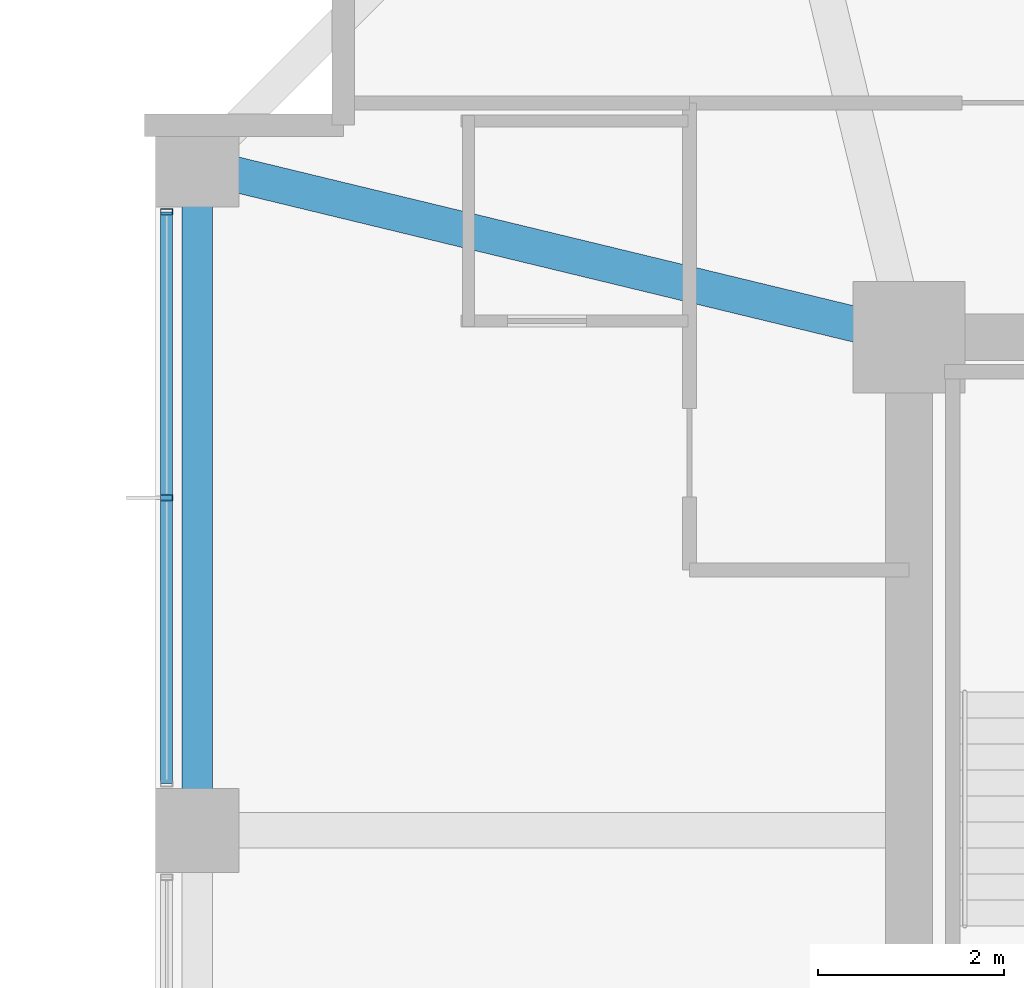
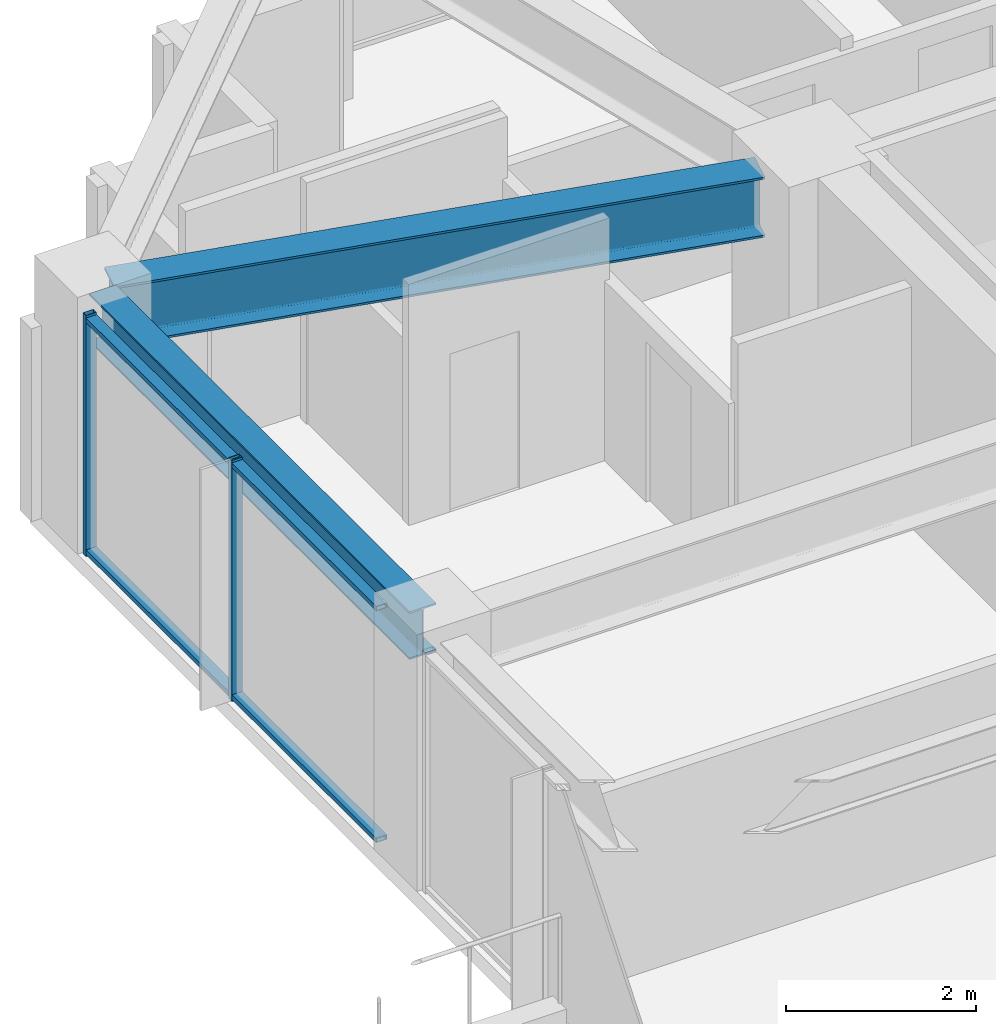
# One storey, part 10 of 32: 4 members, 2 beams, 1 element without a shape of its own.
"""IFC4 building model written with IfcOpenShell, lengths in metres."""

from ifc_helpers import new_model, si_unit, direction, frame, origin, origin_2d, place, context, subcontext, project, spatial, hollow_rectangle, i_section, extrude, material, material_profile, profile_set, type_object, element, aggregate, save


model = new_model("IFC4")

# Units and contexts
model_context = context("Model", 3, precision=1e-05, world=origin(), true_north=direction((0.0, 1.0)))
body_context = subcontext(model_context, "Body", "Model", "MODEL_VIEW")
ifc_project = project(units=[si_unit("LENGTHUNIT", "METRE"), si_unit("AREAUNIT", "SQUARE_METRE"), si_unit("VOLUMEUNIT", "CUBIC_METRE"), si_unit("PLANEANGLEUNIT", "RADIAN"), si_unit("MASSUNIT", "GRAM", prefix="KILO")], contexts=[model_context])

# Site, building, storey
site_placement = place(None, origin())
site = spatial("IfcSite", under=ifc_project, at=site_placement, CompositionType="ELEMENT")
building_placement = place(site_placement, origin())
building = spatial("IfcBuilding", under=site, at=building_placement, Name="Kolvaren Belvedere", CompositionType="ELEMENT")
storey_placement = place(building_placement, frame((0.0, 0.0, 141.5)))
storey = spatial("IfcBuildingStorey", under=building, at=storey_placement, Name="L41", CompositionType="ELEMENT", Elevation=141.5)

# Beams
ifc_material_1 = material(Name="Structural steel ASTM A992 Grade 50", Category="steel")
ifc_material_profile_1 = material_profile(ifc_material_1, i_section(OverallWidth=0.381103515625, OverallDepth=0.77294921875, WebThickness=0.0166015625, FlangeThickness=0.027099609375, FilletRadius=0.02392578125, at=origin_2d()), Name="W30X173")
ifc_profile_set_1 = profile_set([ifc_material_profile_1], Name="Structural steel ASTM A992 Grade 50")
beam_type_1 = type_object("IfcBeamType", Name="BM-GIRD-W30X173", PredefinedType="BEAM", material=ifc_profile_set_1)
beam_1_placement = place(storey_placement, frame((-10.4345703125, 10.029296875, 2.71337890625), z_axis=(-0.971980197119, 0.235062749937, 0.0), x_axis=(-0.235062749937, -0.971980197119, 0.0)))
element("IfcBeam", 1, at=beam_1_placement, inside=storey, type_object=beam_type_1, Name="L41 Corner Core-to-Perimeter Girder CC4-W4", PredefinedType="BEAM", context=body_context, shape_type="SweptSolid", body=[
    extrude(i_section(OverallWidth=0.381103515625, OverallDepth=0.77294921875, WebThickness=0.0166015625, FlangeThickness=0.027099609375, FilletRadius=0.02392578125, at=origin_2d()), origin(), (0.0, 0.0, 1.0), 7.140625),
])
ifc_material_2 = material(Name="Structural steel ASTM A992 Grade 50", Category="steel")
ifc_material_profile_2 = material_profile(ifc_material_2, i_section(OverallWidth=0.324951171875, OverallDepth=0.615966796875, WebThickness=0.013916015625, FlangeThickness=0.021484375, FilletRadius=0.02001953125, at=origin_2d()), Name="W24X117")
ifc_profile_set_2 = profile_set([ifc_material_profile_2], Name="Structural steel ASTM A992 Grade 50")
beam_type_2 = type_object("IfcBeamType", Name="BM-SPAN-W24X117", PredefinedType="SPANDREL", material=ifc_profile_set_2)
beam_2_placement = place(storey_placement, frame((-17.550048828125, 11.547607421875, 2.7919921875), z_axis=(0.0, -1.0, 0.0), x_axis=(1.0, 0.0, 0.0)))
element("IfcBeam", 2, at=beam_2_placement, inside=storey, type_object=beam_type_2, Name="L41 Perimeter Spandrel W4-W3", PredefinedType="SPANDREL", context=body_context, shape_type="SweptSolid", body=[
    extrude(i_section(OverallWidth=0.324951171875, OverallDepth=0.615966796875, WebThickness=0.013916015625, FlangeThickness=0.021484375, FilletRadius=0.02001953125, at=origin_2d()), origin(), (0.0, 0.0, 1.0), 6.7451171875),
])

# Curtain wall, members
ifc_material_3 = material(Name="Anodised pale-metal aluminium AA 6063-T6", Category="aluminium")
curtain_wall_type = type_object("IfcCurtainWallType", Name="CW-Z3-WAIST", PredefinedType="NOTDEFINED", material=ifc_material_3)
curtain_wall_placement = place(storey_placement, origin())
curtain_wall = element("IfcCurtainWall", 3, at=curtain_wall_placement, inside=storey, type_object=curtain_wall_type, Name="L41 Unitised Curtain Wall FCW-L41-W2-B2", PredefinedType="NOTDEFINED")
ifc_material_4 = material(Name="Anodised pale-metal aluminium AA 6063-T6", Category="aluminium")
ifc_material_profile_3 = material_profile(ifc_material_4, hollow_rectangle(XDim=0.06494140625, YDim=0.1298828125, WallThickness=0.00390625, at=origin_2d()), Name="ALU-MUL-130X65")
ifc_profile_set_3 = profile_set([ifc_material_profile_3], Name="Anodised pale-metal aluminium AA 6063-T6")
member_type_1 = type_object("IfcMemberType", Name="CW-MUL-130", PredefinedType="MULLION", material=ifc_profile_set_3)
member_1_placement = place(storey_placement, frame((-17.8798828125, 8.175048828125, 0.0), z_axis=(0.0, 0.0, 1.0), x_axis=(0.0, 1.0, 0.0)))
member_1 = element("IfcMember", 4, at=member_1_placement, type_object=member_type_1, Name="FCW-L41-W2-B2 Unitised Mullion 2", PredefinedType="MULLION", context=body_context, shape_type="SweptSolid", body=[
    extrude(hollow_rectangle(XDim=0.06494140625, YDim=0.1298828125, WallThickness=0.00390625, at=origin_2d()), origin(), (0.0, 0.0, 1.0), 3.10009765625),
])
member_2_placement = place(storey_placement, frame((-17.8798828125, 11.24755859375, 0.0), z_axis=(0.0, 0.0, 1.0), x_axis=(0.0, 1.0, 0.0)))
member_2 = element("IfcMember", 5, at=member_2_placement, type_object=member_type_1, Name="FCW-L41-W2-B2 Unitised Mullion 3", PredefinedType="MULLION", context=body_context, shape_type="SweptSolid", body=[
    extrude(hollow_rectangle(XDim=0.06494140625, YDim=0.1298828125, WallThickness=0.00390625, at=origin_2d()), origin(), (0.0, 0.0, 1.0), 3.10009765625),
])
ifc_material_5 = material(Name="Anodised pale-metal aluminium AA 6063-T6", Category="aluminium")
ifc_material_profile_4 = material_profile(ifc_material_5, hollow_rectangle(XDim=0.06005859375, YDim=0.1298828125, WallThickness=0.00390625, at=origin_2d()), Name="ALU-TRN-130X60")
ifc_profile_set_4 = profile_set([ifc_material_profile_4], Name="Anodised pale-metal aluminium AA 6063-T6")
member_type_2 = type_object("IfcMemberType", Name="CW-TRN-130", PredefinedType="USERDEFINED", material=ifc_profile_set_4)
member_3_placement = place(storey_placement, frame((-17.8798828125, 5.1025390625, 0.06005859375), z_axis=(0.0, 1.0, 0.0), x_axis=(0.0, 0.0, 1.0)))
member_3 = element("IfcMember", 6, at=member_3_placement, type_object=member_type_2, Name="FCW-L41-W2-B2 Sill Transom", ObjectType="TRANSOM", PredefinedType="USERDEFINED", context=body_context, shape_type="SweptSolid", body=[
    extrude(hollow_rectangle(XDim=0.06005859375, YDim=0.1298828125, WallThickness=0.00390625, at=origin_2d()), origin(), (0.0, 0.0, 1.0), 6.14501953125),
])
member_4_placement = place(storey_placement, frame((-17.8798828125, 5.1025390625, 3.0400390625), z_axis=(0.0, 1.0, 0.0), x_axis=(0.0, 0.0, 1.0)))
member_4 = element("IfcMember", 7, at=member_4_placement, type_object=member_type_2, Name="FCW-L41-W2-B2 Head Transom", ObjectType="TRANSOM", PredefinedType="USERDEFINED", context=body_context, shape_type="SweptSolid", body=[
    extrude(hollow_rectangle(XDim=0.06005859375, YDim=0.1298828125, WallThickness=0.00390625, at=origin_2d()), origin(), (0.0, 0.0, 1.0), 6.14501953125),
])
aggregate(curtain_wall, [member_1, member_2, member_3, member_4])

save(model, "model.ifc")
